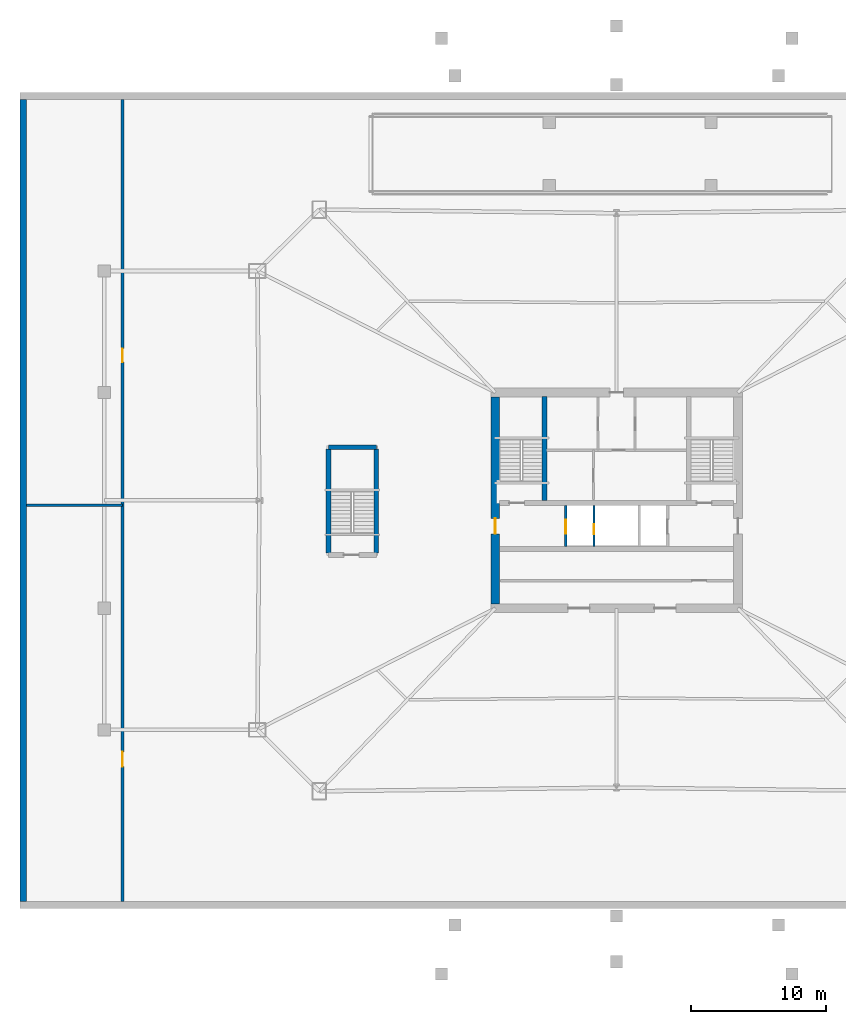
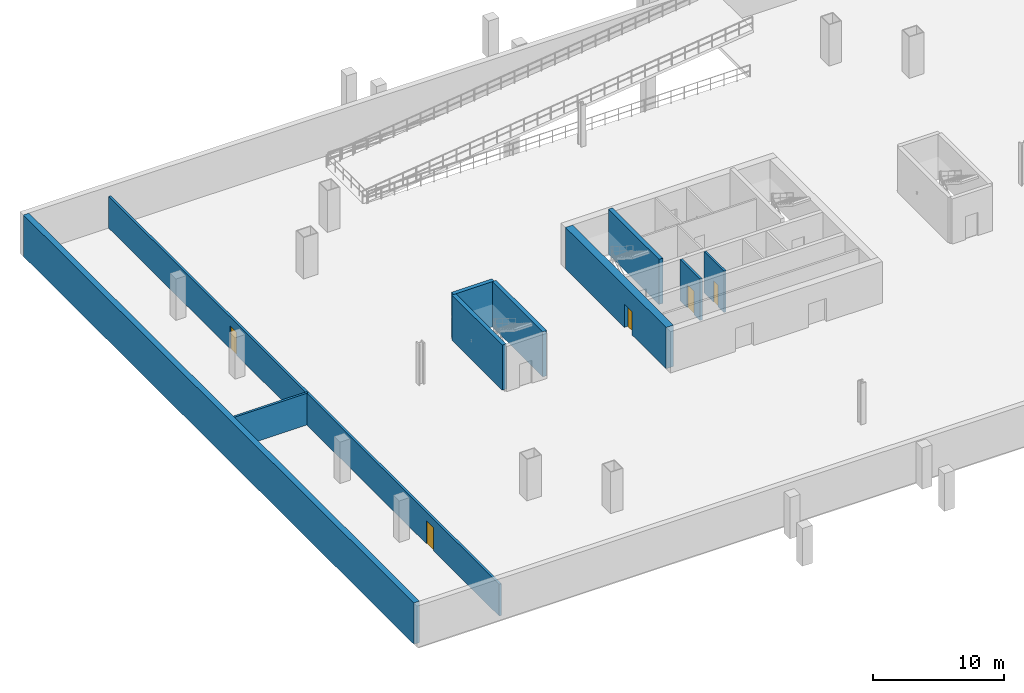
# One storey, part 4 of 9: 10 walls, 5 doors, 5 openings.
"""IFC4 building model written with IfcOpenShell, lengths in metres."""

from ifc_helpers import new_model, si_unit, direction, frame, frame_2d, origin, place, context, subcontext, project, spatial, rectangle, extrude, material, layer, layer_set, type_object, element, fill, save


model = new_model("IFC4")

# Units and contexts
model_context = context("Model", 3, precision=1e-05, world=origin(), true_north=direction((0.0, 1.0)))
body_context = subcontext(model_context, "Body", "Model", "MODEL_VIEW")
ifc_project = project(units=[si_unit("LENGTHUNIT", "METRE"), si_unit("AREAUNIT", "SQUARE_METRE"), si_unit("VOLUMEUNIT", "CUBIC_METRE"), si_unit("PLANEANGLEUNIT", "RADIAN"), si_unit("MASSUNIT", "GRAM", prefix="KILO")], contexts=[model_context])

# Site, building, storey
site_placement = place(None, origin())
site = spatial("IfcSite", under=ifc_project, at=site_placement, CompositionType="ELEMENT")
building_placement = place(site_placement, origin())
building = spatial("IfcBuilding", under=site, at=building_placement, Name="Caelvoria Tower", CompositionType="ELEMENT")
storey_placement = place(building_placement, frame((0.0, 0.0, -4.199951171875)))
storey = spatial("IfcBuildingStorey", under=building, at=storey_placement, Name="B1", CompositionType="ELEMENT", Elevation=-4.199951171875)

# Walls
ifc_material_1 = material(Name="Concrete C40/50", Category="concrete")
ifc_layer_1 = layer(ifc_material_1, 0.5, Name="Concrete C40/50")
ifc_layer_set_1 = layer_set([ifc_layer_1], Name="Basement Retaining Wall 500 - Concrete C40/50")
wall_type_1 = type_object("IfcWallType", Name="Basement Retaining Wall 500", PredefinedType="SOLIDWALL", material=ifc_layer_set_1)
wall_1_placement = place(storey_placement, frame((2.0, 2.25, 0.0), z_axis=(0.0, 0.0, 1.0), x_axis=(0.0, 1.0, 0.0)))
element("IfcWall", 1, at=wall_1_placement, inside=storey, type_object=wall_type_1, Name="B1 Retaining Wall W", PredefinedType="SOLIDWALL", context=body_context, shape_type="SweptSolid", body=[
    extrude(rectangle(XDim=59.5, YDim=0.5, at=frame_2d((29.75, 0.0))), origin(), (0.0, 0.0, 1.0), 3.849853515625),
])
ifc_material_2 = material(Name="Concrete C50/60", Category="concrete")
ifc_layer_2 = layer(ifc_material_2, 0.35009765625, Name="Concrete C50/60")
ifc_layer_set_2 = layer_set([ifc_layer_2], Name="Core Internal Shear Wall 350 - Concrete C50/60")
wall_type_2 = type_object("IfcWallType", Name="Core Internal Shear Wall 350", PredefinedType="SHEAR", material=ifc_layer_set_2)
wall_2_placement = place(storey_placement, frame((40.64990234375, 32.0, 0.0), z_axis=(0.0, 0.0, 1.0), x_axis=(0.0, 1.0, 0.0)))
element("IfcWall", 2, at=wall_2_placement, inside=storey, type_object=wall_type_2, Name="Interior Partition IW-B1-ST1E", PredefinedType="SHEAR", context=body_context, shape_type="SweptSolid", body=[
    extrude(rectangle(XDim=7.699951171875, YDim=0.35009765625, at=frame_2d((3.85009765625, 0.0))), origin(), (0.0, 0.0, 1.0), 4.199951171875),
])
wall_3_placement = place(storey_placement, frame((24.625, 35.949951171875, 0.0), z_axis=(0.0, 0.0, 1.0), x_axis=(1.0, 0.0, 0.0)))
element("IfcWall", 3, at=wall_3_placement, inside=storey, type_object=wall_type_2, Name="Podium Stair Shear Wall B1 ST3 N", PredefinedType="SHEAR", context=body_context, shape_type="SweptSolid", body=[
    extrude(rectangle(XDim=3.550048828125, YDim=0.35009765625, at=frame_2d((1.77490234375, 0.0))), origin(), (0.0, 0.0, 1.0), 4.199951171875),
])
for number, where, z_axis, x_axis, name in (
    (4, (24.625, 28.10009765625, 0.0), (0.0, 0.0, 1.0), (0.0, 1.0, 0.0), "Podium Stair Shear Wall B1 ST3 W"),
    (5, (28.175048828125, 28.10009765625, 0.0), (0.0, 0.0, 1.0), (0.0, 1.0, 0.0), "Podium Stair Shear Wall B1 ST3 E"),
):
    element("IfcWall", number, at=place(storey_placement, frame(where, z_axis=z_axis, x_axis=x_axis)), inside=storey, type_object=wall_type_2, Name=name, PredefinedType="SHEAR", context=body_context, shape_type="SweptSolid", body=[
        extrude(rectangle(XDim=7.699951171875, YDim=0.35009765625, at=frame_2d((3.85009765625, 0.0))), origin(), (0.0, 0.0, 1.0), 4.199951171875),
    ])

# Wall, opening, door
ifc_material_3 = material(Name="Concrete Block and Fireboard Assembly", Category="concrete")
ifc_layer_3 = layer(ifc_material_3, 0.179931640625, Name="Concrete Block and Fireboard Assembly")
ifc_layer_set_3 = layer_set([ifc_layer_3], Name="Fire-Rated Hoistway Partition Wall 180 - Concrete Block and Fireboard Assembly")
wall_type_3 = type_object("IfcWallType", Name="Fire-Rated Hoistway Partition Wall 180", PredefinedType="PARTITIONING", material=ifc_layer_set_3)
wall_4_placement = place(storey_placement, frame((44.320068359375, 28.580078125, 0.0), z_axis=(0.0, 0.0, 1.0), x_axis=(0.0, 1.0, 0.0)))
wall_4 = element("IfcWall", 6, at=wall_4_placement, inside=storey, type_object=wall_type_3, Name="Interior Partition IW-B1-SV1W", PredefinedType="PARTITIONING", context=body_context, shape_type="SweptSolid", body=[
    extrude(rectangle(XDim=3.0400390625, YDim=0.179931640625, at=frame_2d((1.52001953125, 0.0))), origin(), (0.0, 0.0, 1.0), 3.849853515625),
])
opening_1_placement = place(wall_4_placement, frame((0.89990234375, 0.0, 0.0)))
opening_1 = element("IfcOpeningElement", 7, at=opening_1_placement, cuts=wall_4, Name="Opening TD-01", PredefinedType="OPENING", context=body_context, shape_type="SweptSolid", body=[
    extrude(rectangle(XDim=0.75, YDim=2.0, at=frame_2d((0.375, 1.0))), frame((0.0, 0.099853515625, 0.0), z_axis=(0.0, -1.0, 0.0), x_axis=(1.0, 0.0, 0.0)), (0.0, 0.0, 1.0), 0.199951171875),
])
ifc_material_4 = material(Name="Insulated Steel Service Access Trapdoor", Category="steel")
door_type_1 = type_object("IfcDoorType", Name="Riser Maintenance Access Trapdoor 750x1850", OperationType="NOTDEFINED", PredefinedType="TRAPDOOR", material=ifc_material_4)
door_1_placement = place(opening_1_placement, origin())
door_1 = element("IfcDoor", 8, at=door_1_placement, inside=storey, type_object=door_type_1, Name="Wet Riser Access Trapdoor B1", OperationType="SINGLE_SWING_LEFT", OverallHeight=2.0, OverallWidth=0.75, PredefinedType="TRAPDOOR", context=body_context, shape_type="SweptSolid", body=[
    extrude(rectangle(XDim=0.75, YDim=2.0, at=frame_2d((0.375, 1.0))), frame((0.0, 0.02490234375, 0.0), z_axis=(0.0, -1.0, 0.0), x_axis=(1.0, 0.0, 0.0)), (0.0, 0.0, 1.0), 0.050048828125),
])
fill(opening_1, door_1)

ifc_layer_4 = layer(ifc_material_3, 0.199951171875, Name="Concrete Block and Fireboard Assembly")
ifc_layer_set_4 = layer_set([ifc_layer_4], Name="Fire-Rated Shaft and Core Partition Wall 200 - Concrete Block and Fireboard Assembly")
wall_type_4 = type_object("IfcWallType", Name="Fire-Rated Shaft and Core Partition Wall 200", PredefinedType="PARTITIONING", material=ifc_layer_set_4)
wall_5_placement = place(storey_placement, frame((42.219970703125, 28.580078125, 0.0), z_axis=(0.0, 0.0, 1.0), x_axis=(0.0, 1.0, 0.0)))
wall_5 = element("IfcWall", 9, at=wall_5_placement, inside=storey, type_object=wall_type_4, Name="Interior Partition IW-B1-LF1W", PredefinedType="PARTITIONING", context=body_context, shape_type="SweptSolid", body=[
    extrude(rectangle(XDim=3.0400390625, YDim=0.199951171875, at=frame_2d((1.52001953125, 0.0))), origin(), (0.0, 0.0, 1.0), 3.849853515625),
])
opening_2_placement = place(wall_5_placement, frame((0.949951171875, 0.0, 0.0)))
opening_2 = element("IfcOpeningElement", 10, at=opening_2_placement, cuts=wall_5, Name="Opening LD-01", PredefinedType="OPENING", context=body_context, shape_type="SweptSolid", body=[
    extrude(rectangle(XDim=1.050048828125, YDim=2.14990234375, at=frame_2d((0.52490234375, 1.074951171875))), frame((0.0, 0.10986328125, 0.0), z_axis=(0.0, -1.0, 0.0), x_axis=(1.0, 0.0, 0.0)), (0.0, 0.0, 1.0), 0.219970703125),
])
ifc_material_5 = material(Name="Brushed Bronze Stainless Sliding Landing Door", Category="aluminium")
door_type_2 = type_object("IfcDoorType", Name="Lift Landing Sliding Door 1100x2150", OperationType="NOTDEFINED", PredefinedType="DOOR", material=ifc_material_5)
door_2_placement = place(opening_2_placement, origin())
door_2 = element("IfcDoor", 11, at=door_2_placement, inside=storey, type_object=door_type_2, Name="Interior Door LD-B1-LF1", OperationType="SLIDING_TO_LEFT", OverallHeight=2.14990234375, OverallWidth=1.050048828125, PredefinedType="DOOR", context=body_context, shape_type="SweptSolid", body=[
    extrude(rectangle(XDim=1.050048828125, YDim=2.14990234375, at=frame_2d((0.52490234375, 1.074951171875))), frame((0.0, 0.02490234375, 0.0), z_axis=(0.0, -1.0, 0.0), x_axis=(1.0, 0.0, 0.0)), (0.0, 0.0, 1.0), 0.050048828125),
])
fill(opening_2, door_2)

# Wall, openings, doors
wall_6_placement = place(storey_placement, frame((9.35009765625, 2.25, 0.0), z_axis=(0.0, 0.0, 1.0), x_axis=(0.0, 1.0, 0.0)))
wall_6 = element("IfcWall", 12, at=wall_6_placement, inside=storey, type_object=wall_type_4, Name="Interior Partition IW-B1-PW", PredefinedType="PARTITIONING", context=body_context, shape_type="SweptSolid", body=[
    extrude(rectangle(XDim=59.5, YDim=0.199951171875, at=frame_2d((29.75, 0.0))), origin(), (0.0, 0.0, 1.0), 2.949951171875),
])
opening_3_placement = place(wall_6_placement, frame((10.0, 0.0, 0.0)))
opening_3 = element("IfcOpeningElement", 13, at=opening_3_placement, cuts=wall_6, Name="Opening ID-01", PredefinedType="OPENING", context=body_context, shape_type="SweptSolid", body=[
    extrude(rectangle(XDim=1.10009765625, YDim=2.14990234375, at=frame_2d((0.550048828125, 1.074951171875))), frame((0.0, 0.10986328125, 0.0), z_axis=(0.0, -1.0, 0.0), x_axis=(1.0, 0.0, 0.0)), (0.0, 0.0, 1.0), 0.219970703125),
])
opening_4_placement = place(wall_6_placement, frame((40.0, 0.0, 0.0)))
opening_4 = element("IfcOpeningElement", 14, at=opening_4_placement, cuts=wall_6, Name="Opening ID-03", PredefinedType="OPENING", context=body_context, shape_type="SweptSolid", body=[
    extrude(rectangle(XDim=1.0, YDim=2.14990234375, at=frame_2d((0.5, 1.074951171875))), frame((0.0, 0.10986328125, 0.0), z_axis=(0.0, -1.0, 0.0), x_axis=(1.0, 0.0, 0.0)), (0.0, 0.0, 1.0), 0.219970703125),
])
ifc_material_6 = material(Name="Painted Hollow Steel Fire Door", Category="steel")
door_type_3 = type_object("IfcDoorType", Name="Fire Door FD60S 1000x2150", OperationType="NOTDEFINED", PredefinedType="DOOR", material=ifc_material_6)
door_3_placement = place(opening_4_placement, origin())
door_3 = element("IfcDoor", 15, at=door_3_placement, inside=storey, type_object=door_type_3, Name="Interior Door DR-B1-PW2", OperationType="SINGLE_SWING_RIGHT", OverallHeight=2.14990234375, OverallWidth=1.0, PredefinedType="DOOR", context=body_context, shape_type="SweptSolid", body=[
    extrude(rectangle(XDim=1.0, YDim=2.14990234375, at=frame_2d((0.5, 1.074951171875))), frame((0.0, 0.02490234375, 0.0), z_axis=(0.0, -1.0, 0.0), x_axis=(1.0, 0.0, 0.0)), (0.0, 0.0, 1.0), 0.050048828125),
])
fill(opening_4, door_3)
door_type_4 = type_object("IfcDoorType", Name="Fire Door FD90S 1100x2150", OperationType="NOTDEFINED", PredefinedType="DOOR", material=ifc_material_6)
door_4_placement = place(opening_3_placement, origin())
door_4 = element("IfcDoor", 16, at=door_4_placement, inside=storey, type_object=door_type_4, Name="Interior Door DR-B1-PW1", OperationType="SINGLE_SWING_LEFT", OverallHeight=2.14990234375, OverallWidth=1.10009765625, PredefinedType="DOOR", context=body_context, shape_type="SweptSolid", body=[
    extrude(rectangle(XDim=1.10009765625, YDim=2.14990234375, at=frame_2d((0.550048828125, 1.074951171875))), frame((0.0, 0.02490234375, 0.0), z_axis=(0.0, -1.0, 0.0), x_axis=(1.0, 0.0, 0.0)), (0.0, 0.0, 1.0), 0.050048828125),
])
fill(opening_3, door_4)

# Wall
wall_7_placement = place(storey_placement, frame((2.25, 31.64990234375, 0.0), z_axis=(0.0, 0.0, 1.0), x_axis=(1.0, 0.0, 0.0)))
element("IfcWall", 17, at=wall_7_placement, inside=storey, type_object=wall_type_4, Name="Interior Partition IW-B1-PWH", PredefinedType="PARTITIONING", context=body_context, shape_type="SweptSolid", body=[
    extrude(rectangle(XDim=7.10009765625, YDim=0.199951171875, at=frame_2d((3.550048828125, 0.0))), origin(), (0.0, 0.0, 1.0), 2.949951171875),
])

# Wall, opening, door
ifc_material_7 = material(Name="Concrete C60/75", Category="concrete")
ifc_layer_5 = layer(ifc_material_7, 0.64990234375, Name="Concrete C60/75")
ifc_layer_set_5 = layer_set([ifc_layer_5], Name="Lower Core Shear Wall 650 - Concrete C60/75")
wall_type_5 = type_object("IfcWallType", Name="Lower Core Shear Wall 650", PredefinedType="SHEAR", material=ifc_layer_set_5)
wall_8_placement = place(storey_placement, frame((37.0, 24.324951171875, 0.0), z_axis=(0.0, 0.0, 1.0), x_axis=(0.0, 1.0, 0.0)))
wall_8 = element("IfcWall", 18, at=wall_8_placement, inside=storey, type_object=wall_type_5, Name="Core Shear Wall B1 W", PredefinedType="SHEAR", context=body_context, shape_type="SweptSolid", body=[
    extrude(rectangle(XDim=15.35009765625, YDim=0.64990234375, at=frame_2d((7.675048828125, 0.0))), origin(), (0.0, 0.0, 1.0), 3.849853515625),
])
opening_5_placement = place(wall_8_placement, frame((5.199951171875, 0.0, 0.0)))
opening_5 = element("IfcOpeningElement", 19, at=opening_5_placement, cuts=wall_8, Name="Opening ID-02", PredefinedType="OPENING", context=body_context, shape_type="SweptSolid", body=[
    extrude(rectangle(XDim=1.14990234375, YDim=2.14990234375, at=frame_2d((0.574951171875, 1.074951171875))), frame((0.0, 0.3349609375, 0.0), z_axis=(0.0, -1.0, 0.0), x_axis=(1.0, 0.0, 0.0)), (0.0, 0.0, 1.0), 0.669921875),
])
door_type_5 = type_object("IfcDoorType", Name="Fire Door FD60S 1150x2150", OperationType="NOTDEFINED", PredefinedType="DOOR", material=ifc_material_6)
door_5_placement = place(opening_5_placement, origin())
door_5 = element("IfcDoor", 20, at=door_5_placement, inside=storey, type_object=door_type_5, Name="Core Door DR-B1-FFLW-OUT", OperationType="SINGLE_SWING_LEFT", OverallHeight=2.14990234375, OverallWidth=1.14990234375, PredefinedType="DOOR", context=body_context, shape_type="SweptSolid", body=[
    extrude(rectangle(XDim=1.14990234375, YDim=2.14990234375, at=frame_2d((0.574951171875, 1.074951171875))), frame((0.0, 0.02490234375, 0.0), z_axis=(0.0, -1.0, 0.0), x_axis=(1.0, 0.0, 0.0)), (0.0, 0.0, 1.0), 0.050048828125),
])
fill(opening_5, door_5)

save(model, "model.ifc")
